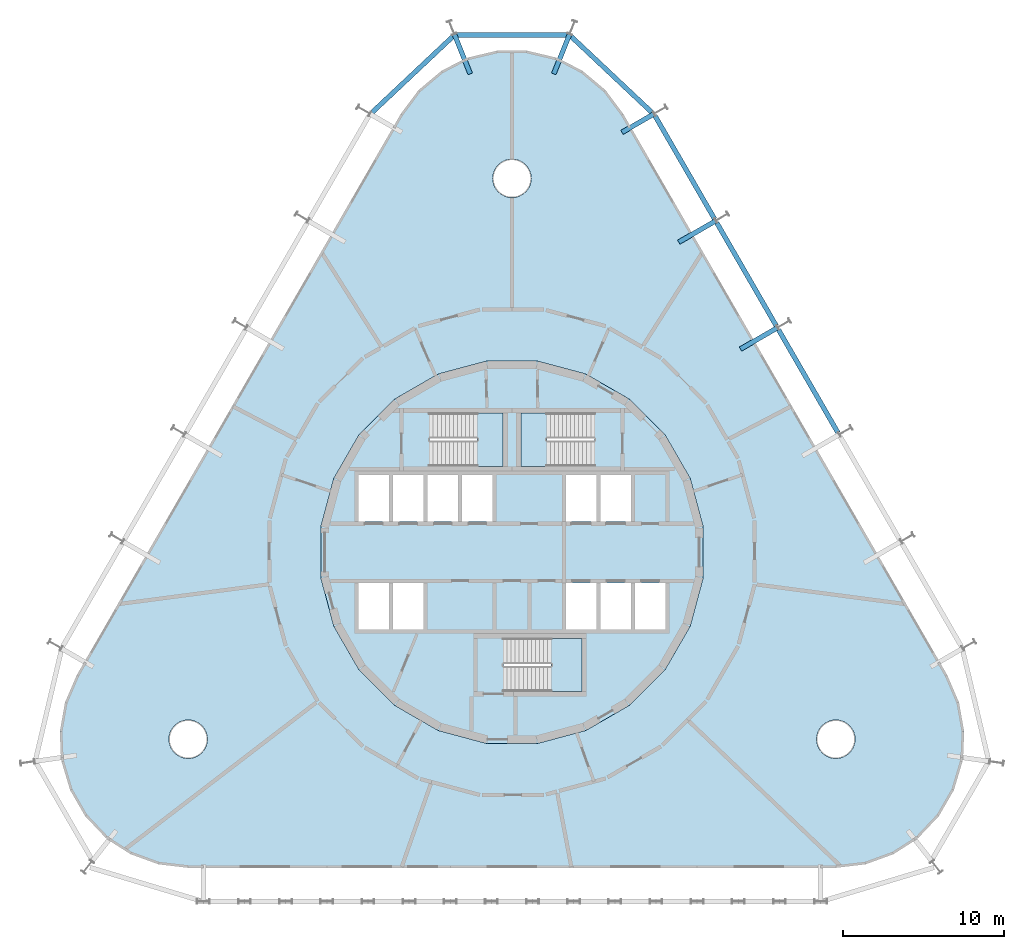
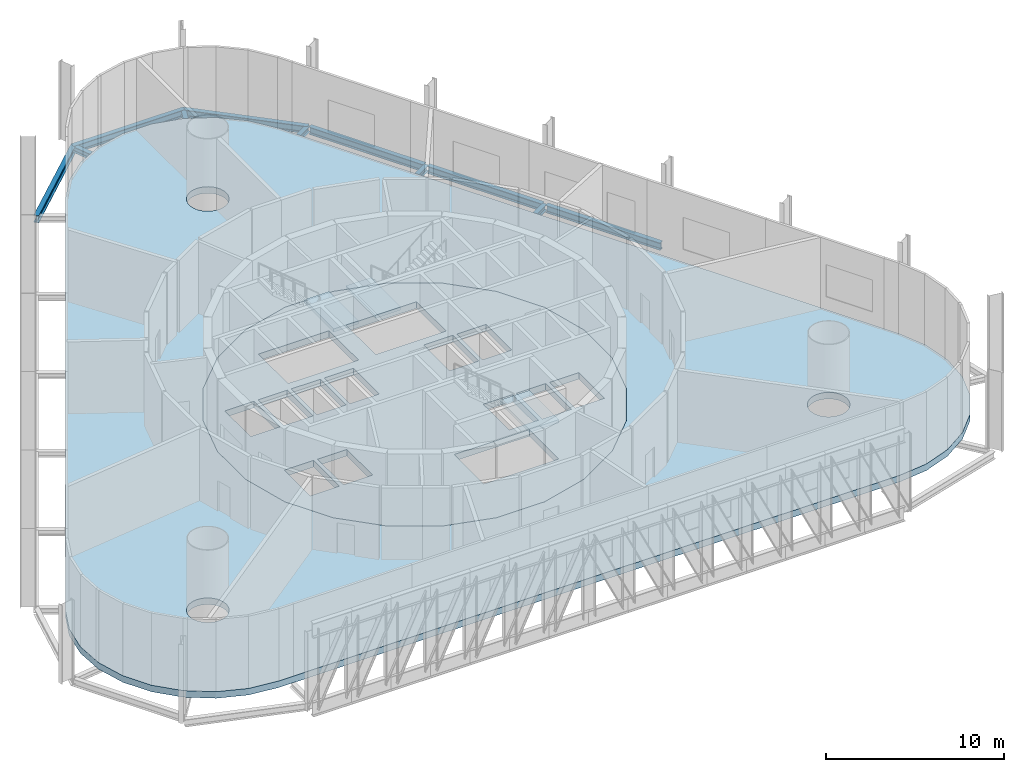
# One storey, part 4 of 11: 11 beams, 5 slabs, 3 elements without a shape of their own.
"""IFC4 building model written with IfcOpenShell, lengths in metres."""

from ifc_helpers import new_model, si_unit, direction, frame, origin, origin_2d, place, context, subcontext, project, spatial, polyline, i_section, outline, extrude, material, layer, layer_set, material_profile, profile_set, type_object, element, aggregate, save


model = new_model("IFC4")

# Units and contexts
model_context = context("Model", 3, precision=1e-05, world=origin(), true_north=direction((0.0, 1.0)))
body_context = subcontext(model_context, "Body", "Model", "MODEL_VIEW")
ifc_project = project(units=[si_unit("LENGTHUNIT", "METRE"), si_unit("AREAUNIT", "SQUARE_METRE"), si_unit("VOLUMEUNIT", "CUBIC_METRE"), si_unit("PLANEANGLEUNIT", "RADIAN"), si_unit("MASSUNIT", "GRAM", prefix="KILO")], contexts=[model_context])

# Site, building, storey
site_placement = place(None, origin())
site = spatial("IfcSite", under=ifc_project, at=site_placement, CompositionType="ELEMENT")
building_placement = place(site_placement, origin())
building = spatial("IfcBuilding", under=site, at=building_placement, Name="Spindle Arch Residences", CompositionType="ELEMENT")
storey_placement = place(building_placement, frame((0.0, 0.0, 33.0)))
storey = spatial("IfcBuildingStorey", under=building, at=storey_placement, Name="L06", CompositionType="ELEMENT", Elevation=33.0)

# Beams
ifc_material_1 = material(Name="Steel S460ML, intumescent coating R 120", Category="steel")
ifc_material_profile_1 = material_profile(ifc_material_1, i_section(OverallWidth=0.300048828125, OverallDepth=0.5, WebThickness=0.014404296875, FlangeThickness=0.028076171875, FilletRadius=0.027099609375, at=origin_2d()), Name="HEB 500")
ifc_profile_set_1 = profile_set([ifc_material_profile_1], Name="Steel S460ML, intumescent coating R 120")
beam_type_1 = type_object("IfcBeamType", Name="Exoskeleton edge beam HEB 500", PredefinedType="BEAM", material=ifc_profile_set_1)
beam_1_placement = place(storey_placement, frame((20.283935546875, 7.427001953125, -0.699951171875), z_axis=(-0.500003477455, 0.866023396066, 0.0), x_axis=(-0.866023396066, -0.500003477455, 0.0)))
element("IfcBeam", 1, at=beam_1_placement, inside=storey, type_object=beam_type_1, Name="Exoskeleton edge beam 8", PredefinedType="BEAM", context=body_context, shape_type="SweptSolid", body=[
    extrude(i_section(OverallWidth=0.300048828125, OverallDepth=0.5, WebThickness=0.014404296875, FlangeThickness=0.028076171875, FilletRadius=0.027099609375, at=origin_2d()), origin(), (0.0, 0.0, 1.0), 7.419921875),
])
for number, where, z_axis, x_axis, name in (
    (2, (16.44384765625, 14.078125, -0.699951171875), (-0.49998923004, 0.866031621735, 0.0), (-0.866031621735, -0.49998923004, 0.0), "Exoskeleton edge beam 9"),
    (3, (12.60400390625, 20.729248046875, -0.699951171875), (-0.5000139068, 0.866017374541, 0.0), (-0.866017374541, -0.5000139068, 0.0), "Exoskeleton edge beam 10"),
):
    element("IfcBeam", number, at=place(storey_placement, frame(where, z_axis=z_axis, x_axis=x_axis)), inside=storey, type_object=beam_type_1, Name=name, PredefinedType="BEAM", context=body_context, shape_type="SweptSolid", body=[
        extrude(i_section(OverallWidth=0.300048828125, OverallDepth=0.5, WebThickness=0.014404296875, FlangeThickness=0.028076171875, FilletRadius=0.027099609375, at=origin_2d()), origin(), (0.0, 0.0, 1.0), 7.420166015625),
    ])
beam_2_placement = place(storey_placement, frame((8.829345703125, 27.24169921875, -0.699951171875), z_axis=(-0.728377909202, 0.685175613538, 0.0), x_axis=(-0.685175613538, -0.728377909202, 0.0)))
element("IfcBeam", 4, at=beam_2_placement, inside=storey, type_object=beam_type_1, Name="Exoskeleton edge beam 11", PredefinedType="BEAM", context=body_context, shape_type="SweptSolid", body=[
    extrude(i_section(OverallWidth=0.300048828125, OverallDepth=0.5, WebThickness=0.014404296875, FlangeThickness=0.028076171875, FilletRadius=0.027099609375, at=origin_2d()), origin(), (0.0, 0.0, 1.0), 7.250244140625),
])
beam_3_placement = place(storey_placement, frame((3.6181640625, 32.188720703125, -0.699951171875), z_axis=(-1.0, 0.0, 0.0), x_axis=(0.0, -1.0, 0.0)))
element("IfcBeam", 5, at=beam_3_placement, inside=storey, type_object=beam_type_1, Name="Exoskeleton edge beam 12", PredefinedType="BEAM", context=body_context, shape_type="SweptSolid", body=[
    extrude(i_section(OverallWidth=0.300048828125, OverallDepth=0.5, WebThickness=0.014404296875, FlangeThickness=0.028076171875, FilletRadius=0.027099609375, at=origin_2d()), origin(), (0.0, 0.0, 1.0), 7.236328125),
])
beam_4_placement = place(storey_placement, frame((-3.54833984375, 32.20947265625, -0.699951171875), z_axis=(-0.728377909202, -0.685175613538, 0.0), x_axis=(0.685175613538, -0.728377909202, 0.0)))
element("IfcBeam", 6, at=beam_4_placement, inside=storey, type_object=beam_type_1, Name="Exoskeleton edge beam 13", PredefinedType="BEAM", context=body_context, shape_type="SweptSolid", body=[
    extrude(i_section(OverallWidth=0.300048828125, OverallDepth=0.5, WebThickness=0.014404296875, FlangeThickness=0.028076171875, FilletRadius=0.027099609375, at=origin_2d()), origin(), (0.0, 0.0, 1.0), 7.250244140625),
])
ifc_material_2 = material(Name="Steel S460ML, intumescent coating R 120", Category="steel")
ifc_material_profile_2 = material_profile(ifc_material_2, i_section(OverallWidth=0.300048828125, OverallDepth=0.389892578125, WebThickness=0.010986328125, FlangeThickness=0.01904296875, FilletRadius=0.027099609375, at=origin_2d()), Name="HEA 400")
ifc_profile_set_2 = profile_set([ifc_material_profile_2], Name="Steel S460ML, intumescent coating R 120")
beam_type_2 = type_object("IfcBeamType", Name="Floor outrigger HEA 400", PredefinedType="BEAM", material=ifc_profile_set_2)
for number, where, z_axis, x_axis, name in (
    (7, (16.5087890625, 13.965576171875, -0.64501953125), (-0.865989200783, -0.500062700197, 0.0), (0.500062700197, -0.865989200783, 0.0), "Floor outrigger 9"),
    (8, (12.6689453125, 20.61669921875, -0.64501953125), (-0.866052124492, -0.499953715521, 0.0), (0.499953715521, -0.866052124492, 0.0), "Floor outrigger 10"),
):
    element("IfcBeam", number, at=place(storey_placement, frame(where, z_axis=z_axis, x_axis=x_axis)), inside=storey, type_object=beam_type_2, Name=name, PredefinedType="BEAM", context=body_context, shape_type="SweptSolid", body=[
        extrude(i_section(OverallWidth=0.300048828125, OverallDepth=0.389892578125, WebThickness=0.010986328125, FlangeThickness=0.01904296875, FilletRadius=0.027099609375, at=origin_2d()), origin(), (0.0, 0.0, 1.0), 2.650146484375),
    ])
beam_5_placement = place(storey_placement, frame((8.828857421875, 27.267822265625, -0.64501953125), z_axis=(-0.866020755578, -0.500008050843, 0.0), x_axis=(0.500008050843, -0.866020755578, 0.0)))
element("IfcBeam", 9, at=beam_5_placement, inside=storey, type_object=beam_type_2, Name="Floor outrigger 11", PredefinedType="BEAM", context=body_context, shape_type="SweptSolid", body=[
    extrude(i_section(OverallWidth=0.300048828125, OverallDepth=0.389892578125, WebThickness=0.010986328125, FlangeThickness=0.01904296875, FilletRadius=0.027099609375, at=origin_2d()), origin(), (0.0, 0.0, 1.0), 2.2939453125),
])
for number, where, z_axis, x_axis, name in (
    (10, (3.581298828125, 32.220703125, -0.64501953125), (-0.371104734129, -0.928591016706, 0.0), (0.928591016706, -0.371104734129, 0.0), "Floor outrigger 12"),
    (11, (-3.581298828125, 32.220703125, -0.64501953125), (0.371104734129, -0.928591016706, 0.0), (0.928591016706, 0.371104734129, 0.0), "Floor outrigger 13"),
):
    element("IfcBeam", number, at=place(storey_placement, frame(where, z_axis=z_axis, x_axis=x_axis)), inside=storey, type_object=beam_type_2, Name=name, PredefinedType="BEAM", context=body_context, shape_type="SweptSolid", body=[
        extrude(i_section(OverallWidth=0.300048828125, OverallDepth=0.389892578125, WebThickness=0.010986328125, FlangeThickness=0.01904296875, FilletRadius=0.027099609375, at=origin_2d()), origin(), (0.0, 0.0, 1.0), 2.64990234375),
    ])

# Slabs
ifc_material_3 = material(Name="Concrete C40/50", Category="concrete")
ifc_layer_1 = layer(ifc_material_3, 0.449951171875)
ifc_layer_set_1 = layer_set([ifc_layer_1], Name="Compartment floor slab 450")
slab_type_1 = type_object("IfcSlabType", Name="Compartment floor slab 450", PredefinedType="FLOOR", material=ifc_layer_set_1)
slab_1_placement = place(storey_placement, frame((0.0, 0.0, -0.449951171875)))
element("IfcSlab", 12, at=slab_1_placement, inside=storey, type_object=slab_type_1, Name="Floor slab L06", PredefinedType="FLOOR", context=body_context, shape_type="SweptSolid", body=[
    extrude(outline(polyline([(-21.988525390625, -19.414306640625), (-23.73388671875, -18.779052734375), (-25.285888671875, -17.75830078125), (-26.560546875, -16.4072265625), (-27.4892578125, -14.798583984375), (-28.022216796875, -13.01904296875), (-28.130126953125, -11.164794921875), (-27.8076171875, -9.33544921875), (-27.07177734375, -7.6298828125), (-6.92822265625, 27.259765625), (-5.819091796875, 28.749755859375), (-4.39599609375, 29.943603515625), (-2.736083984375, 30.77734375), (-0.9287109375, 31.205810546875), (0.9287109375, 31.205810546875), (2.736083984375, 30.77734375), (4.39599609375, 29.943603515625), (5.819091796875, 28.749755859375), (6.92822265625, 27.259765625), (27.07177734375, -7.6298828125), (27.8076171875, -9.33544921875), (28.130126953125, -11.164794921875), (28.022216796875, -13.01904296875), (27.4892578125, -14.798583984375), (26.560546875, -16.4072265625), (25.285888671875, -17.75830078125), (23.73388671875, -18.779052734375), (21.988525390625, -19.414306640625), (20.1435546875, -19.6298828125), (0.0, -19.6298828125), (-20.1435546875, -19.6298828125), (-21.988525390625, -19.414306640625)]), holes=[polyline([(7.30517578125, -9.520263671875), (9.520263671875, -7.30517578125), (11.086669921875, -4.59228515625), (11.897216796875, -1.56640625), (11.897216796875, 1.56640625), (11.086669921875, 4.59228515625), (9.520263671875, 7.30517578125), (7.30517578125, 9.520263671875), (4.59228515625, 11.086669921875), (1.56640625, 11.897216796875), (-1.56640625, 11.897216796875), (-4.59228515625, 11.086669921875), (-7.30517578125, 9.520263671875), (-9.520263671875, 7.30517578125), (-11.086669921875, 4.59228515625), (-11.897216796875, 1.56640625), (-11.897216796875, -1.56640625), (-11.086669921875, -4.59228515625), (-9.520263671875, -7.30517578125), (-7.30517578125, -9.520263671875), (-4.59228515625, -11.086669921875), (-1.56640625, -11.897216796875), (1.56640625, -11.897216796875), (4.59228515625, -11.086669921875), (7.30517578125, -9.520263671875)]), polyline([(-19.145751953125, -12.296630859375), (-19.034912109375, -12.089111328125), (-18.966796875, -11.864013671875), (-18.943603515625, -11.6298828125), (-18.966796875, -11.395751953125), (-19.034912109375, -11.170654296875), (-19.145751953125, -10.963134765625), (-19.295166015625, -10.781494140625), (-19.476806640625, -10.632080078125), (-19.684326171875, -10.521240234375), (-19.909423828125, -10.452880859375), (-20.1435546875, -10.429931640625), (-20.377685546875, -10.452880859375), (-20.602783203125, -10.521240234375), (-20.810302734375, -10.632080078125), (-20.9921875, -10.781494140625), (-21.141357421875, -10.963134765625), (-21.252197265625, -11.170654296875), (-21.320556640625, -11.395751953125), (-21.343505859375, -11.6298828125), (-21.320556640625, -11.864013671875), (-21.252197265625, -12.089111328125), (-21.141357421875, -12.296630859375), (-20.9921875, -12.478515625), (-20.810302734375, -12.627685546875), (-20.602783203125, -12.738525390625), (-20.377685546875, -12.806884765625), (-20.1435546875, -12.829833984375), (-19.909423828125, -12.806884765625), (-19.684326171875, -12.738525390625), (-19.476806640625, -12.627685546875), (-19.295166015625, -12.478515625), (-19.145751953125, -12.296630859375)]), polyline([(0.848388671875, 22.411376953125), (0.997802734375, 22.593017578125), (1.108642578125, 22.800537109375), (1.177001953125, 23.025634765625), (1.199951171875, 23.259765625), (1.177001953125, 23.493896484375), (1.108642578125, 23.718994140625), (0.997802734375, 23.926513671875), (0.848388671875, 24.1083984375), (0.666748046875, 24.257568359375), (0.459228515625, 24.368408203125), (0.234130859375, 24.436767578125), (0.0, 24.459716796875), (-0.234130859375, 24.436767578125), (-0.459228515625, 24.368408203125), (-0.666748046875, 24.257568359375), (-0.848388671875, 24.1083984375), (-0.997802734375, 23.926513671875), (-1.108642578125, 23.718994140625), (-1.177001953125, 23.493896484375), (-1.199951171875, 23.259765625), (-1.177001953125, 23.025634765625), (-1.108642578125, 22.800537109375), (-0.997802734375, 22.593017578125), (-0.848388671875, 22.411376953125), (-0.666748046875, 22.261962890625), (-0.459228515625, 22.151123046875), (-0.234130859375, 22.0830078125), (0.0, 22.059814453125), (0.234130859375, 22.0830078125), (0.459228515625, 22.151123046875), (0.666748046875, 22.261962890625), (0.848388671875, 22.411376953125)]), polyline([(20.9921875, -12.478515625), (21.141357421875, -12.296630859375), (21.252197265625, -12.089111328125), (21.320556640625, -11.864013671875), (21.343505859375, -11.6298828125), (21.320556640625, -11.395751953125), (21.252197265625, -11.170654296875), (21.141357421875, -10.963134765625), (20.9921875, -10.781494140625), (20.810302734375, -10.632080078125), (20.602783203125, -10.521240234375), (20.377685546875, -10.452880859375), (20.1435546875, -10.429931640625), (19.909423828125, -10.452880859375), (19.684326171875, -10.521240234375), (19.476806640625, -10.632080078125), (19.295166015625, -10.781494140625), (19.145751953125, -10.963134765625), (19.034912109375, -11.170654296875), (18.966796875, -11.395751953125), (18.943603515625, -11.6298828125), (18.966796875, -11.864013671875), (19.034912109375, -12.089111328125), (19.145751953125, -12.296630859375), (19.295166015625, -12.478515625), (19.476806640625, -12.627685546875), (19.684326171875, -12.738525390625), (19.909423828125, -12.806884765625), (20.1435546875, -12.829833984375), (20.377685546875, -12.806884765625), (20.602783203125, -12.738525390625), (20.810302734375, -12.627685546875), (20.9921875, -12.478515625)])]), origin(), (0.0, 0.0, 1.0), 0.449951171875),
])
ifc_material_4 = material(Name="Concrete C50/60", Category="concrete")
ifc_layer_2 = layer(ifc_material_4, 0.449951171875)
ifc_layer_set_2 = layer_set([ifc_layer_2], Name="Core floor slab 450")
slab_type_2 = type_object("IfcSlabType", Name="Core floor slab 450", PredefinedType="FLOOR", material=ifc_layer_set_2)
slab_2_placement = place(storey_placement, frame((0.0, 0.0, -0.449951171875)))
element("IfcSlab", 13, at=slab_2_placement, inside=storey, type_object=slab_type_2, Name="Core floor L06", PredefinedType="FLOOR", context=body_context, shape_type="SweptSolid", body=[
    extrude(outline(polyline([(1.56640625, -11.897216796875), (4.59228515625, -11.086669921875), (7.30517578125, -9.520263671875), (9.520263671875, -7.30517578125), (11.086669921875, -4.59228515625), (11.897216796875, -1.56640625), (11.897216796875, 1.56640625), (11.086669921875, 4.59228515625), (9.520263671875, 7.30517578125), (7.30517578125, 9.520263671875), (4.59228515625, 11.086669921875), (1.56640625, 11.897216796875), (-1.56640625, 11.897216796875), (-4.59228515625, 11.086669921875), (-7.30517578125, 9.520263671875), (-9.520263671875, 7.30517578125), (-11.086669921875, 4.59228515625), (-11.897216796875, 1.56640625), (-11.897216796875, -1.56640625), (-11.086669921875, -4.59228515625), (-9.520263671875, -7.30517578125), (-7.30517578125, -9.520263671875), (-4.59228515625, -11.086669921875), (-1.56640625, -11.897216796875), (1.56640625, -11.897216796875)]), holes=[polyline([(-9.550048828125, 1.89990234375), (-7.64990234375, 1.89990234375), (-7.64990234375, 4.800048828125), (-9.550048828125, 4.800048828125), (-9.550048828125, 1.89990234375)]), polyline([(-7.39990234375, 1.89990234375), (-5.5, 1.89990234375), (-5.5, 4.800048828125), (-7.39990234375, 4.800048828125), (-7.39990234375, 1.89990234375)]), polyline([(-5.25, 1.89990234375), (-3.35009765625, 1.89990234375), (-3.35009765625, 4.800048828125), (-5.25, 4.800048828125), (-5.25, 1.89990234375)]), polyline([(-3.10009765625, 1.89990234375), (-1.199951171875, 1.89990234375), (-1.199951171875, 4.800048828125), (-3.10009765625, 4.800048828125), (-3.10009765625, 1.89990234375)]), polyline([(3.35009765625, 1.89990234375), (5.25, 1.89990234375), (5.25, 4.800048828125), (3.35009765625, 4.800048828125), (3.35009765625, 1.89990234375)]), polyline([(5.5, 1.89990234375), (7.39990234375, 1.89990234375), (7.39990234375, 4.800048828125), (5.5, 4.800048828125), (5.5, 1.89990234375)]), polyline([(-9.550048828125, -4.800048828125), (-7.64990234375, -4.800048828125), (-7.64990234375, -1.89990234375), (-9.550048828125, -1.89990234375), (-9.550048828125, -4.800048828125)]), polyline([(-7.39990234375, -4.800048828125), (-5.5, -4.800048828125), (-5.5, -1.89990234375), (-7.39990234375, -1.89990234375), (-7.39990234375, -4.800048828125)]), polyline([(3.35009765625, -4.800048828125), (5.25, -4.800048828125), (5.25, -1.89990234375), (3.35009765625, -1.89990234375), (3.35009765625, -4.800048828125)]), polyline([(5.5, -4.800048828125), (7.39990234375, -4.800048828125), (7.39990234375, -1.89990234375), (5.5, -1.89990234375), (5.5, -4.800048828125)]), polyline([(7.64990234375, -4.800048828125), (9.550048828125, -4.800048828125), (9.550048828125, -1.89990234375), (7.64990234375, -1.89990234375), (7.64990234375, -4.800048828125)]), polyline([(5.1298828125, 8.669921875), (0.550048828125, 8.669921875), (0.550048828125, 5.35009765625), (5.1298828125, 5.35009765625), (5.1298828125, 8.669921875)]), polyline([(-5.1298828125, 5.35009765625), (-0.550048828125, 5.35009765625), (-0.550048828125, 8.669921875), (-5.1298828125, 8.669921875), (-5.1298828125, 5.35009765625)]), polyline([(-0.530029296875, -8.669921875), (4.35009765625, -8.669921875), (4.35009765625, -5.35009765625), (-0.530029296875, -5.35009765625), (-0.530029296875, -8.669921875)])]), origin(), (0.0, 0.0, 1.0), 0.449951171875),
])

# Stair, slab
ifc_material_5 = material(Name="Concrete C50/60", Category="concrete")
stair_type = type_object("IfcStairType", Name="Exit stair 26 risers", PredefinedType="HALF_TURN_STAIR", material=ifc_material_5)
stair_1_placement = place(storey_placement, origin())
stair_1 = element("IfcStair", 14, at=stair_1_placement, inside=storey, type_object=stair_type, Name="L06 Exit stair ST1", PredefinedType="HALF_TURN_STAIR")
ifc_material_6 = material(Name="Concrete C50/60", Category="concrete")
ifc_layer_3 = layer(ifc_material_6, 0.219970703125)
ifc_layer_set_3 = layer_set([ifc_layer_3], Name="Exit stair landing 220")
slab_type_3 = type_object("IfcSlabType", Name="Exit stair landing 220", PredefinedType="LANDING", material=ifc_layer_set_3)
slab_3_placement = place(storey_placement, frame((0.0, 0.0, 2.47998046875)))
slab_3 = element("IfcSlab", 15, at=slab_3_placement, type_object=slab_type_3, Name="ST1 landing 1", PredefinedType="LANDING", context=body_context, shape_type="SweptSolid", body=[
    extrude(outline(polyline([(2.169921875, 8.669921875), (0.550048828125, 8.669921875), (0.550048828125, 5.35009765625), (2.169921875, 5.35009765625), (2.169921875, 8.669921875)])), origin(), (0.0, 0.0, 1.0), 0.219970703125),
])
aggregate(stair_1, [slab_3])

stair_2_placement = place(storey_placement, origin())
stair_2 = element("IfcStair", 16, at=stair_2_placement, inside=storey, type_object=stair_type, Name="L06 Exit stair ST2", PredefinedType="HALF_TURN_STAIR")
slab_4_placement = place(storey_placement, frame((0.0, 0.0, 2.47998046875)))
slab_4 = element("IfcSlab", 17, at=slab_4_placement, type_object=slab_type_3, Name="ST2 landing 1", PredefinedType="LANDING", context=body_context, shape_type="SweptSolid", body=[
    extrude(outline(polyline([(-2.169921875, 5.35009765625), (-0.550048828125, 5.35009765625), (-0.550048828125, 8.669921875), (-2.169921875, 8.669921875), (-2.169921875, 5.35009765625)])), origin(), (0.0, 0.0, 1.0), 0.219970703125),
])
aggregate(stair_2, [slab_4])

stair_3_placement = place(storey_placement, origin())
stair_3 = element("IfcStair", 18, at=stair_3_placement, inside=storey, type_object=stair_type, Name="L06 Exit stair ST3", PredefinedType="HALF_TURN_STAIR")
slab_5_placement = place(storey_placement, frame((0.0, 0.0, 2.47998046875)))
slab_5 = element("IfcSlab", 19, at=slab_5_placement, type_object=slab_type_3, Name="ST3 landing 1", PredefinedType="LANDING", context=body_context, shape_type="SweptSolid", body=[
    extrude(outline(polyline([(2.429931640625, -8.669921875), (4.35009765625, -8.669921875), (4.35009765625, -5.35009765625), (2.429931640625, -5.35009765625), (2.429931640625, -8.669921875)])), origin(), (0.0, 0.0, 1.0), 0.219970703125),
])
aggregate(stair_3, [slab_5])

save(model, "model.ifc")
